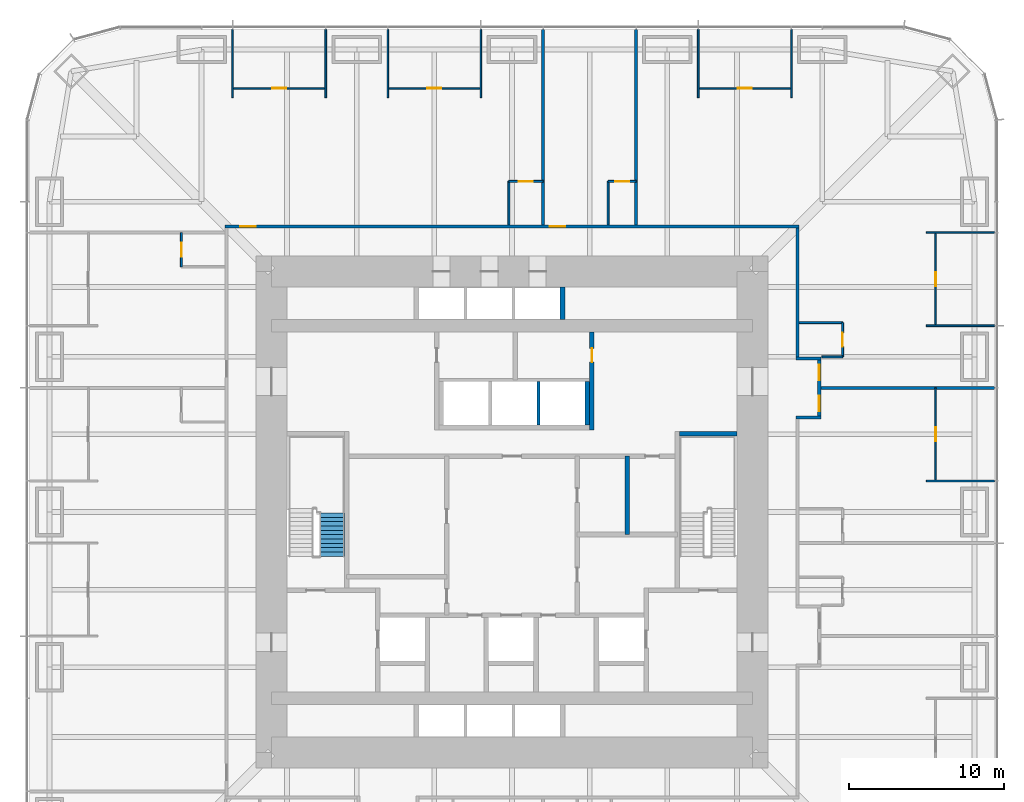
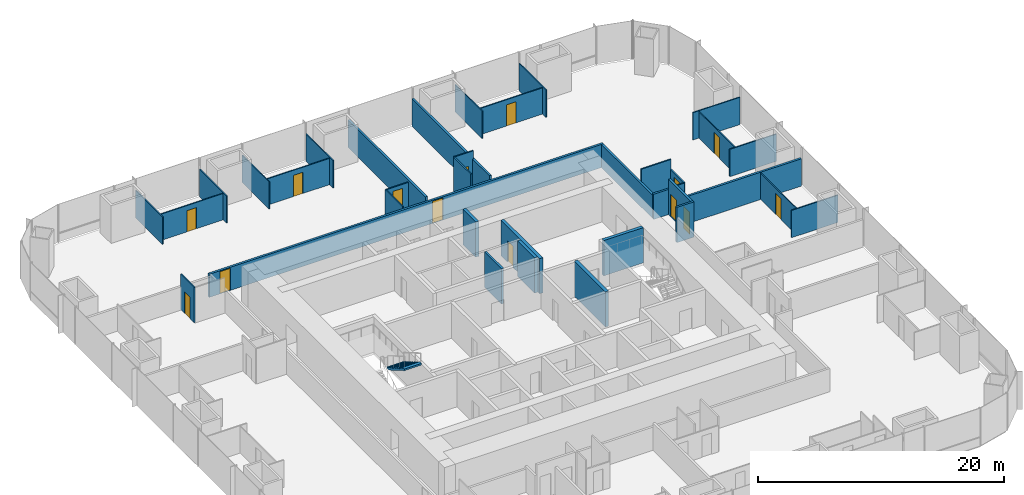
# One storey, part 15 of 17: 36 walls, 14 doors, 1 stair flight, 14 openings, 1 element without a shape of its own.
"""IFC4 building model written with IfcOpenShell, lengths in metres."""

import ifcopenshell
import ifcopenshell.guid

model = None  # the IFC model being written
_history = None  # IfcOwnerHistory: only IFC2X3 demands one
_inside = {}  # id of a spatial element -> (the spatial element, [elements in it])
_under = {}  # id of a project, library or spatial element -> (it, [spatial elements below it])
_declared = {}  # id of a project -> (the project, [libraries it declares])
_typed = {}  # id of a type object -> (the type object, [elements of that type])
_made_of = {}  # id of a material, layer set ... -> (it, [elements and type objects made of it])


def new_model(schema):
    """Start an empty IFC model of exactly this schema.

    Asked for "IFC4X3", IfcOpenShell would pick the latest addendum, in which some entities
    have other attributes; the version numbers below select the first issue.
    IFC2X3 requires an IfcOwnerHistory on every rooted entity: one is made here for all.
    """
    global model, _history
    if schema == "IFC4X3":
        model = ifcopenshell.file(schema_version=(4, 3, 0, 0))
    else:
        model = ifcopenshell.file(schema=schema)
    _inside.clear()
    _under.clear()
    _declared.clear()
    _typed.clear()
    _made_of.clear()
    _history = None
    if model.schema == "IFC2X3":
        org = make("IfcOrganization", Name="unknown")
        user = make(
            "IfcPersonAndOrganization",
            ThePerson=make("IfcPerson", FamilyName="unknown"),
            TheOrganization=org,
        )
        app = make(
            "IfcApplication",
            ApplicationDeveloper=org,
            Version="unknown",
            ApplicationFullName="unknown",
            ApplicationIdentifier="unknown",
        )
        _history = make(
            "IfcOwnerHistory",
            OwningUser=user,
            OwningApplication=app,
            ChangeAction="ADDED",
            CreationDate=0,
        )
    return model


def make(cls, **values):
    """One entity of the class cls with the attributes given. An attribute that is None is left unset."""
    return model.create_entity(
        cls, **{name: value for name, value in values.items() if value is not None}
    )


def rooted(cls, **values):
    """An entity with a GlobalId (a new one), such as an element, a storey or a relation."""
    return make(cls, GlobalId=ifcopenshell.guid.new(), OwnerHistory=_history, **values)


def si_unit(unit_type, name, prefix=None):
    """IfcSIUnit, for example si_unit("LENGTHUNIT", "METRE", prefix="MILLI")."""
    return make("IfcSIUnit", UnitType=unit_type, Prefix=prefix, Name=name)


def assignment(units):
    """IfcUnitAssignment: the units of a project."""
    return None if units is None else make("IfcUnitAssignment", Units=units)


def point(xyz):
    """IfcCartesianPoint."""
    return None if xyz is None else make("IfcCartesianPoint", Coordinates=xyz)


def direction(xyz):
    """IfcDirection."""
    return None if xyz is None else make("IfcDirection", DirectionRatios=xyz)


def frame(location, z_axis=None, x_axis=None):
    """IfcAxis2Placement3D, a coordinate frame: its origin and axes. An axis left out is left unset."""
    return make(
        "IfcAxis2Placement3D",
        Location=point(location),
        Axis=direction(z_axis),
        RefDirection=direction(x_axis),
    )


def frame_2d(location, x_axis=None):
    """IfcAxis2Placement2D, a coordinate frame in the plane: its origin and x axis."""
    return make(
        "IfcAxis2Placement2D", Location=point(location), RefDirection=direction(x_axis)
    )


def origin():
    """The frame at (0, 0, 0) with its axes left unset."""
    return frame((0.0, 0.0, 0.0))


def place(relative_to, where):
    """IfcLocalPlacement: puts the frame where relative to a parent placement (None: the world)."""
    return make(
        "IfcLocalPlacement", PlacementRelTo=relative_to, RelativePlacement=where
    )


def context(
    kind, dimensions, precision=None, world=None, true_north=None, identifier=None
):
    """IfcGeometricRepresentationContext, for example the 3D "Model" context."""
    return make(
        "IfcGeometricRepresentationContext",
        ContextIdentifier=identifier,
        ContextType=kind,
        CoordinateSpaceDimension=dimensions,
        Precision=precision,
        WorldCoordinateSystem=world,
        TrueNorth=true_north,
    )


def subcontext(parent, identifier, kind, view, scale=None):
    """IfcGeometricRepresentationSubContext, for example "Body" below "Model"."""
    return make(
        "IfcGeometricRepresentationSubContext",
        ContextIdentifier=identifier,
        ContextType=kind,
        ParentContext=parent,
        TargetScale=scale,
        TargetView=view,
    )


def project(units=None, contexts=None):
    """IfcProject with its units and contexts."""
    return rooted(
        "IfcProject",
        Name="project",
        RepresentationContexts=contexts,
        UnitsInContext=assignment(units),
    )


def spatial(cls, under=None, at=None, **own):
    """A site, building, storey or space (cls), placed at a placement, below another one or the project."""
    s = rooted(cls, ObjectPlacement=at, **own)
    if under is not None:
        _under.setdefault(under.id(), (under, []))[1].append(s)
    return s


def polyline(points):
    """IfcPolyline through the points."""
    return make("IfcPolyline", Points=[point(p) for p in points])


def profile(cls, at=None, kind="AREA", **sizes):
    """A parametric profile (cls). Its sizes go by their IFC names, for example OverallWidth=200.0."""
    return make(cls, ProfileType=kind, Position=at, **sizes)


def rectangle(**sizes):
    """IfcRectangleProfileDef."""
    return profile("IfcRectangleProfileDef", **sizes)


def outline(outer, holes=None, kind="AREA"):
    """IfcArbitraryClosedProfileDef: a profile drawn as a closed curve; with holes, ...WithVoids."""
    if holes is None:
        return make("IfcArbitraryClosedProfileDef", ProfileType=kind, OuterCurve=outer)
    return make(
        "IfcArbitraryProfileDefWithVoids",
        ProfileType=kind,
        OuterCurve=outer,
        InnerCurves=holes,
    )


def extrude(swept, where, along, depth):
    """IfcExtrudedAreaSolid: the profile swept, set in the frame where, extruded along a direction by depth."""
    return make(
        "IfcExtrudedAreaSolid",
        SweptArea=swept,
        Position=where,
        ExtrudedDirection=direction(along),
        Depth=depth,
    )


def shape(context_of_items, identifier, shape_type, items):
    """IfcShapeRepresentation: the items that make up one representation, for example the "Body"."""
    return make(
        "IfcShapeRepresentation",
        ContextOfItems=context_of_items,
        RepresentationIdentifier=identifier,
        RepresentationType=shape_type,
        Items=items,
    )


def material(Name=None, Category=None):
    """IfcMaterial."""
    return make("IfcMaterial", Name=Name, Category=Category)


def layer(
    of_material, thickness, ventilated=None, Name=None, Category=None, Priority=None
):
    """IfcMaterialLayer: one layer of a wall or slab, of a material (None: an air gap)."""
    return make(
        "IfcMaterialLayer",
        Material=of_material,
        LayerThickness=thickness,
        IsVentilated=ventilated,
        Name=Name,
        Category=Category,
        Priority=Priority,
    )


def layer_set(layers, Name=None):
    """IfcMaterialLayerSet."""
    return make("IfcMaterialLayerSet", MaterialLayers=layers, LayerSetName=Name)


def made_of(thing, what):
    """Note that an element or type object is made of a material, layer set ...; save() writes the relation."""
    if what is not None:
        _made_of.setdefault(what.id(), (what, []))[1].append(thing)
    return thing


def type_object(cls, material=None, **own):
    """A type object (cls), such as IfcWallType, which elements share."""
    return made_of(rooted(cls, **own), material)


def element(
    cls,
    number,
    at=None,
    inside=None,
    cuts=None,
    type_object=None,
    material=None,
    context=None,
    identifier="Body",
    shape_type=None,
    held_by="IfcProductDefinitionShape",
    body=None,
    shapes=None,
    **own,
):
    """One element of the class cls, such as IfcWall. Its Tag is "e" and its number.

    at: its placement. inside: the storey or other place that contains it. cuts: it is an
    opening in that element (IfcRelVoidsElement). A single representation is given by context,
    identifier, shape_type and body (its items); several are given by shapes. held_by: the class
    of the entity that holds the representations. save() writes the other relations.
    """
    e = rooted(cls, Tag="e%d" % number, ObjectPlacement=at, **own)
    if body is not None:
        shapes = [shape(context, identifier, shape_type, body)]
    if shapes is not None:
        e.Representation = make(held_by, Representations=shapes)
    if inside is not None:
        _inside.setdefault(inside.id(), (inside, []))[1].append(e)
    if cuts is not None:
        rooted(
            "IfcRelVoidsElement", RelatingBuildingElement=cuts, RelatedOpeningElement=e
        )
    if type_object is not None:
        _typed.setdefault(type_object.id(), (type_object, []))[1].append(e)
    return made_of(e, material)


def fill(opening, filler):
    """IfcRelFillsElement: the door or window that sits in an opening."""
    return rooted(
        "IfcRelFillsElement",
        RelatingOpeningElement=opening,
        RelatedBuildingElement=filler,
    )


def aggregate(whole, parts):
    """IfcRelAggregates: a whole, such as a stair, and the parts it consists of."""
    return rooted("IfcRelAggregates", RelatingObject=whole, RelatedObjects=parts)


def save(model, path):
    """Write the relations noted so far, then the file.

    IfcRelAggregates (storeys below a building ...), IfcRelContainedInSpatialStructure (elements
    in a storey), IfcRelDefinesByType, IfcRelAssociatesMaterial and IfcRelDeclares: one each for
    every whole, place, type object, material and project.
    """
    for whole, parts in _under.values():
        aggregate(whole, parts)
    for where, things in _inside.values():
        rooted(
            "IfcRelContainedInSpatialStructure",
            RelatedElements=things,
            RelatingStructure=where,
        )
    for kind, things in _typed.values():
        rooted("IfcRelDefinesByType", RelatedObjects=things, RelatingType=kind)
    for what, things in _made_of.values():
        rooted("IfcRelAssociatesMaterial", RelatedObjects=things, RelatingMaterial=what)
    for by, libraries in _declared.values():
        rooted("IfcRelDeclares", RelatingContext=by, RelatedDefinitions=libraries)
    model.write(path)


model = new_model("IFC4")

# Units and contexts
model_context = context("Model", 3, precision=1e-05, world=origin(), true_north=direction((0.0, 1.0)))
body_context = subcontext(model_context, "Body", "Model", "MODEL_VIEW")
ifc_project = project(units=[si_unit("LENGTHUNIT", "METRE"), si_unit("AREAUNIT", "SQUARE_METRE"), si_unit("VOLUMEUNIT", "CUBIC_METRE"), si_unit("PLANEANGLEUNIT", "RADIAN"), si_unit("MASSUNIT", "GRAM", prefix="KILO")], contexts=[model_context])

# Site, building, storey
site_placement = place(None, origin())
site = spatial("IfcSite", under=ifc_project, at=site_placement, CompositionType="ELEMENT")
building_placement = place(site_placement, origin())
building = spatial("IfcBuilding", under=site, at=building_placement, Name="Khuree Lantern Residences", CompositionType="ELEMENT")
storey_placement = place(building_placement, frame((0.0, 0.0, 77.25)))
storey = spatial("IfcBuildingStorey", under=building, at=storey_placement, Name="L19", CompositionType="ELEMENT", Elevation=77.25)

# Wall, opening, door
ifc_material_1 = material(Name="Moisture-resistant gypsum board on steel studs", Category="steel")
ifc_layer_1 = layer(ifc_material_1, 0.125)
ifc_layer_set_1 = layer_set([ifc_layer_1], Name="BATHROOM WALL BTW125")
wall_type_1 = type_object("IfcWallType", Name="BATHROOM WALL BTW125", PredefinedType="PARTITIONING", material=ifc_layer_set_1)
wall_1_placement = place(storey_placement, frame((21.300048828125, 10.0, 0.0), z_axis=(0.0, 0.0, 1.0), x_axis=(0.0, 1.0, 0.0)))
wall_1 = element("IfcWall", 1, at=wall_1_placement, inside=storey, type_object=wall_type_1, Name="L19 BATHROOM WALL 03", PredefinedType="PARTITIONING", context=body_context, shape_type="SweptSolid", body=[
    extrude(rectangle(XDim=2.199951171875, YDim=0.125, at=frame_2d((1.10009765625, 0.0))), origin(), (0.0, 0.0, 1.0), 2.491943359375),
])
opening_1_placement = place(wall_1_placement, frame((0.64990234375, 0.0, 0.0)))
opening_1 = element("IfcOpeningElement", 2, at=opening_1_placement, cuts=wall_1, Name="Opening 19-030", PredefinedType="OPENING", context=body_context, shape_type="SweptSolid", body=[
    extrude(rectangle(XDim=0.89990234375, YDim=2.10009765625, at=frame_2d((0.449951171875, 1.050048828125))), frame((0.0, 0.072509765625, 0.0), z_axis=(0.0, -1.0, 0.0), x_axis=(1.0, 0.0, 0.0)), (0.0, 0.0, 1.0), 0.14501953125),
])
ifc_material_2 = material(Name="Timber door leaf in hardwood frame", Category="wood")
door_type_1 = type_object("IfcDoorType", Name="BATHROOM DOOR 900X2100", OperationType="SINGLE_SWING_LEFT", PredefinedType="DOOR", material=ifc_material_2)
door_1_placement = place(opening_1_placement, origin())
door_1 = element("IfcDoor", 3, at=door_1_placement, inside=storey, type_object=door_type_1, Name="Bathroom door 19-030", OperationType="SINGLE_SWING_LEFT", OverallHeight=2.10009765625, OverallWidth=0.89990234375, PredefinedType="DOOR", context=body_context, shape_type="SweptSolid", body=[
    extrude(rectangle(XDim=0.89990234375, YDim=2.10009765625, at=frame_2d((0.449951171875, 1.050048828125))), frame((0.0, 0.02490234375, 0.0), z_axis=(0.0, -1.0, 0.0), x_axis=(1.0, 0.0, 0.0)), (0.0, 0.0, 1.0), 0.050048828125),
])
fill(opening_1, door_1)

# Walls
wall_2_placement = place(storey_placement, frame((19.969970703125, 10.0, 0.0), z_axis=(0.0, 0.0, 1.0), x_axis=(1.0, 0.0, 0.0)))
element("IfcWall", 4, at=wall_2_placement, inside=storey, type_object=wall_type_1, Name="L19 BATHROOM WALL 03", PredefinedType="PARTITIONING", context=body_context, shape_type="SweptSolid", body=[
    extrude(rectangle(XDim=1.330078125, YDim=0.125, at=frame_2d((0.6650390625, 0.0))), origin(), (0.0, 0.0, 1.0), 2.491943359375),
])
wall_3_placement = place(storey_placement, frame((18.5, 12.199951171875, 0.0), z_axis=(0.0, 0.0, 1.0), x_axis=(1.0, 0.0, 0.0)))
element("IfcWall", 5, at=wall_3_placement, inside=storey, type_object=wall_type_1, Name="L19 BATHROOM WALL 03", PredefinedType="PARTITIONING", context=body_context, shape_type="SweptSolid", body=[
    extrude(rectangle(XDim=2.800048828125, YDim=0.125, at=frame_2d((1.39990234375, 0.0))), origin(), (0.0, 0.0, 1.0), 3.5),
])

# Wall, opening, door
wall_4_placement = place(storey_placement, frame((8.0, 21.300048828125, 0.0), z_axis=(0.0, 0.0, 1.0), x_axis=(-1.0, 0.0, 0.0)))
wall_4 = element("IfcWall", 6, at=wall_4_placement, inside=storey, type_object=wall_type_1, Name="L19 BATHROOM WALL 04", PredefinedType="PARTITIONING", context=body_context, shape_type="SweptSolid", body=[
    extrude(rectangle(XDim=1.800048828125, YDim=0.125, at=frame_2d((0.89990234375, 0.0))), origin(), (0.0, 0.0, 1.0), 3.5),
])
opening_2_placement = place(wall_4_placement, frame((0.449951171875, 0.0, 0.0)))
opening_2 = element("IfcOpeningElement", 7, at=opening_2_placement, cuts=wall_4, Name="Opening 19-032", PredefinedType="OPENING", context=body_context, shape_type="SweptSolid", body=[
    extrude(rectangle(XDim=0.89990234375, YDim=2.10009765625, at=frame_2d((0.449951171875, 1.050048828125))), frame((0.0, 0.072509765625, 0.0), z_axis=(0.0, -1.0, 0.0), x_axis=(1.0, 0.0, 0.0)), (0.0, 0.0, 1.0), 0.14501953125),
])
door_2_placement = place(opening_2_placement, origin())
door_2 = element("IfcDoor", 8, at=door_2_placement, inside=storey, type_object=door_type_1, Name="Bathroom door 19-032", OperationType="SINGLE_SWING_LEFT", OverallHeight=2.10009765625, OverallWidth=0.89990234375, PredefinedType="DOOR", context=body_context, shape_type="SweptSolid", body=[
    extrude(rectangle(XDim=0.89990234375, YDim=2.10009765625, at=frame_2d((0.449951171875, 1.050048828125))), frame((0.0, 0.02490234375, 0.0), z_axis=(0.0, -1.0, 0.0), x_axis=(1.0, 0.0, 0.0)), (0.0, 0.0, 1.0), 0.050048828125),
])
fill(opening_2, door_2)

# Wall
wall_5_placement = place(storey_placement, frame((6.199951171875, 18.5, 0.0), z_axis=(0.0, 0.0, 1.0), x_axis=(0.0, 1.0, 0.0)))
element("IfcWall", 9, at=wall_5_placement, inside=storey, type_object=wall_type_1, Name="L19 BATHROOM WALL 04", PredefinedType="PARTITIONING", context=body_context, shape_type="SweptSolid", body=[
    extrude(rectangle(XDim=2.800048828125, YDim=0.125, at=frame_2d((1.39990234375, 0.0))), origin(), (0.0, 0.0, 1.0), 3.5),
])

# Wall, opening, door
wall_6_placement = place(storey_placement, frame((2.0, 21.300048828125, 0.0), z_axis=(0.0, 0.0, 1.0), x_axis=(-1.0, 0.0, 0.0)))
wall_6 = element("IfcWall", 10, at=wall_6_placement, inside=storey, type_object=wall_type_1, Name="L19 BATHROOM WALL 05", PredefinedType="PARTITIONING", context=body_context, shape_type="SweptSolid", body=[
    extrude(rectangle(XDim=2.199951171875, YDim=0.125, at=frame_2d((1.10009765625, 0.0))), origin(), (0.0, 0.0, 1.0), 2.491943359375),
])
opening_3_placement = place(wall_6_placement, frame((0.64990234375, 0.0, 0.0)))
opening_3 = element("IfcOpeningElement", 11, at=opening_3_placement, cuts=wall_6, Name="Opening 19-036", PredefinedType="OPENING", context=body_context, shape_type="SweptSolid", body=[
    extrude(rectangle(XDim=0.89990234375, YDim=2.10009765625, at=frame_2d((0.449951171875, 1.050048828125))), frame((0.0, 0.072509765625, 0.0), z_axis=(0.0, -1.0, 0.0), x_axis=(1.0, 0.0, 0.0)), (0.0, 0.0, 1.0), 0.14501953125),
])
door_3_placement = place(opening_3_placement, origin())
door_3 = element("IfcDoor", 12, at=door_3_placement, inside=storey, type_object=door_type_1, Name="Bathroom door 19-036", OperationType="SINGLE_SWING_LEFT", OverallHeight=2.10009765625, OverallWidth=0.89990234375, PredefinedType="DOOR", context=body_context, shape_type="SweptSolid", body=[
    extrude(rectangle(XDim=0.89990234375, YDim=2.10009765625, at=frame_2d((0.449951171875, 1.050048828125))), frame((0.0, 0.02490234375, 0.0), z_axis=(0.0, -1.0, 0.0), x_axis=(1.0, 0.0, 0.0)), (0.0, 0.0, 1.0), 0.050048828125),
])
fill(opening_3, door_3)

# Wall
wall_7_placement = place(storey_placement, frame((-0.199951171875, 18.5, 0.0), z_axis=(0.0, 0.0, 1.0), x_axis=(0.0, 1.0, 0.0)))
element("IfcWall", 13, at=wall_7_placement, inside=storey, type_object=wall_type_1, Name="L19 BATHROOM WALL 05", PredefinedType="PARTITIONING", context=body_context, shape_type="SweptSolid", body=[
    extrude(rectangle(XDim=2.800048828125, YDim=0.125, at=frame_2d((1.39990234375, 0.0))), origin(), (0.0, 0.0, 1.0), 2.491943359375),
])

# Wall, opening, door
wall_8_placement = place(storey_placement, frame((-21.300048828125, 18.0, 0.0), z_axis=(0.0, 0.0, 1.0), x_axis=(0.0, -1.0, 0.0)))
wall_8 = element("IfcWall", 14, at=wall_8_placement, inside=storey, type_object=wall_type_1, Name="L19 BATHROOM WALL 06", PredefinedType="PARTITIONING", context=body_context, shape_type="SweptSolid", body=[
    extrude(rectangle(XDim=2.199951171875, YDim=0.125, at=frame_2d((1.10009765625, 0.0))), origin(), (0.0, 0.0, 1.0), 3.5),
])
opening_4_placement = place(wall_8_placement, frame((0.64990234375, 0.0, 0.0)))
opening_4 = element("IfcOpeningElement", 15, at=opening_4_placement, cuts=wall_8, Name="Opening 19-039", PredefinedType="OPENING", context=body_context, shape_type="SweptSolid", body=[
    extrude(rectangle(XDim=0.89990234375, YDim=2.10009765625, at=frame_2d((0.449951171875, 1.050048828125))), frame((0.0, 0.072509765625, 0.0), z_axis=(0.0, -1.0, 0.0), x_axis=(1.0, 0.0, 0.0)), (0.0, 0.0, 1.0), 0.14501953125),
])
door_4_placement = place(opening_4_placement, origin())
door_4 = element("IfcDoor", 16, at=door_4_placement, inside=storey, type_object=door_type_1, Name="Bathroom door 19-039", OperationType="SINGLE_SWING_LEFT", OverallHeight=2.10009765625, OverallWidth=0.89990234375, PredefinedType="DOOR", context=body_context, shape_type="SweptSolid", body=[
    extrude(rectangle(XDim=0.89990234375, YDim=2.10009765625, at=frame_2d((0.449951171875, 1.050048828125))), frame((0.0, 0.02490234375, 0.0), z_axis=(0.0, -1.0, 0.0), x_axis=(1.0, 0.0, 0.0)), (0.0, 0.0, 1.0), 0.050048828125),
])
fill(opening_4, door_4)

# Walls
ifc_material_3 = material(Name="Dense concrete blockwork", Category="masonry")
ifc_layer_2 = layer(ifc_material_3, 0.300048828125)
ifc_layer_set_2 = layer_set([ifc_layer_2], Name="CORE PARTITION WALL CPW300 EI 120")
wall_type_2 = type_object("IfcWallType", Name="CORE PARTITION WALL CPW300 EI 120", PredefinedType="PARTITIONING", material=ifc_layer_set_2)
wall_9_placement = place(storey_placement, frame((4.85009765625, 5.60009765625, 0.0), z_axis=(0.0, 0.0, 1.0), x_axis=(0.0, 1.0, 0.0)))
element("IfcWall", 17, at=wall_9_placement, inside=storey, type_object=wall_type_2, Name="L19 CORE WALL PHE", PredefinedType="PARTITIONING", context=body_context, shape_type="SweptSolid", body=[
    extrude(rectangle(XDim=2.7998046875, YDim=0.300048828125, at=frame_2d((1.39990234375, 0.0))), origin(), (0.0, 0.0, 1.0), 3.5),
])
wall_10_placement = place(storey_placement, frame((3.25, 12.39990234375, 0.0), z_axis=(0.0, 0.0, 1.0), x_axis=(0.0, 1.0, 0.0)))
element("IfcWall", 18, at=wall_10_placement, inside=storey, type_object=wall_type_2, Name="L19 CORE WALL PLE", PredefinedType="PARTITIONING", context=body_context, shape_type="SweptSolid", body=[
    extrude(rectangle(XDim=2.10009765625, YDim=0.300048828125, at=frame_2d((1.050048828125, 0.0))), origin(), (0.0, 0.0, 1.0), 3.5),
])
wall_11_placement = place(storey_placement, frame((7.425048828125, -1.449951171875, 0.0), z_axis=(0.0, 0.0, 1.0), x_axis=(0.0, 1.0, 0.0)))
element("IfcWall", 19, at=wall_11_placement, inside=storey, type_object=wall_type_2, Name="L19 CORE WALL EV", PredefinedType="PARTITIONING", context=body_context, shape_type="SweptSolid", body=[
    extrude(rectangle(XDim=5.050048828125, YDim=0.300048828125, at=frame_2d((2.52490234375, 0.0))), origin(), (0.0, 0.0, 1.0), 3.5),
])

# Wall, opening, door
wall_12_placement = place(storey_placement, frame((5.14990234375, 5.300048828125, 0.0), z_axis=(0.0, 0.0, 1.0), x_axis=(0.0, 1.0, 0.0)))
wall_12 = element("IfcWall", 20, at=wall_12_placement, inside=storey, type_object=wall_type_2, Name="L19 CORE WALL NE", PredefinedType="PARTITIONING", context=body_context, shape_type="SweptSolid", body=[
    extrude(rectangle(XDim=6.300048828125, YDim=0.300048828125, at=frame_2d((3.14990234375, 0.0))), origin(), (0.0, 0.0, 1.0), 3.5),
])
opening_5_placement = place(wall_12_placement, frame((4.35009765625, 0.0, 0.0)))
opening_5 = element("IfcOpeningElement", 21, at=opening_5_placement, cuts=wall_12, Name="Opening 19-022", PredefinedType="OPENING", context=body_context, shape_type="SweptSolid", body=[
    extrude(rectangle(XDim=0.89990234375, YDim=2.10009765625, at=frame_2d((0.449951171875, 1.050048828125))), frame((0.0, 0.16015625, 0.0), z_axis=(0.0, -1.0, 0.0), x_axis=(1.0, 0.0, 0.0)), (0.0, 0.0, 1.0), 0.320068359375),
])
door_type_2 = type_object("IfcDoorType", Name="DOOR 900X2100", OperationType="SINGLE_SWING_LEFT", PredefinedType="DOOR", material=ifc_material_2)
door_5_placement = place(opening_5_placement, origin())
door_5 = element("IfcDoor", 22, at=door_5_placement, inside=storey, type_object=door_type_2, Name="Building management room door 19-022", OperationType="SINGLE_SWING_LEFT", OverallHeight=2.10009765625, OverallWidth=0.89990234375, PredefinedType="DOOR", context=body_context, shape_type="SweptSolid", body=[
    extrude(rectangle(XDim=0.89990234375, YDim=2.10009765625, at=frame_2d((0.449951171875, 1.050048828125))), frame((0.0, 0.02490234375, 0.0), z_axis=(0.0, -1.0, 0.0), x_axis=(1.0, 0.0, 0.0)), (0.0, 0.0, 1.0), 0.050048828125),
])
fill(opening_5, door_5)

# Walls
ifc_material_4 = material(Name="Gypsum board on steel studs", Category="steel")
ifc_layer_3 = layer(ifc_material_4, 0.199951171875)
ifc_layer_set_3 = layer_set([ifc_layer_3], Name="CORRIDOR WALL CRW200 EI 60")
wall_type_3 = type_object("IfcWallType", Name="CORRIDOR WALL CRW200 EI 60", PredefinedType="PARTITIONING", material=ifc_layer_set_3)
wall_13_placement = place(storey_placement, frame((18.300048828125, 6.10009765625, 0.0), z_axis=(0.0, 0.0, 1.0), x_axis=(1.0, 0.0, 0.0)))
element("IfcWall", 23, at=wall_13_placement, inside=storey, type_object=wall_type_3, Name="L19 CORRIDOR ALCOVE WALL EAST", PredefinedType="PARTITIONING", context=body_context, shape_type="SweptSolid", body=[
    extrude(rectangle(XDim=1.599853515625, YDim=0.199951171875, at=frame_2d((0.7998046875, 0.0))), origin(), (0.0, 0.0, 1.0), 3.5),
])
wall_14_placement = place(storey_placement, frame((18.300048828125, 9.89990234375, 0.0), z_axis=(0.0, 0.0, 1.0), x_axis=(1.0, 0.0, 0.0)))
element("IfcWall", 24, at=wall_14_placement, inside=storey, type_object=wall_type_3, Name="L19 CORRIDOR ALCOVE WALL EAST", PredefinedType="PARTITIONING", context=body_context, shape_type="SweptSolid", body=[
    extrude(rectangle(XDim=1.599853515625, YDim=0.199951171875, at=frame_2d((0.7998046875, 0.0))), origin(), (0.0, 0.0, 1.0), 2.491943359375),
])

# Wall, openings, doors
wall_15_placement = place(storey_placement, frame((19.800048828125, 6.199951171875, 0.0), z_axis=(0.0, 0.0, 1.0), x_axis=(0.0, 1.0, 0.0)))
wall_15 = element("IfcWall", 25, at=wall_15_placement, inside=storey, type_object=wall_type_3, Name="L19 CORRIDOR ALCOVE WALL EAST", PredefinedType="PARTITIONING", context=body_context, shape_type="SweptSolid", body=[
    extrude(rectangle(XDim=3.60009765625, YDim=0.199951171875, at=frame_2d((1.800048828125, 0.0))), origin(), (0.0, 0.0, 1.0), 3.5),
])
opening_6_placement = place(wall_15_placement, frame((0.300048828125, 0.0, 0.0)))
opening_6 = element("IfcOpeningElement", 26, at=opening_6_placement, cuts=wall_15, Name="Opening 19-027", PredefinedType="OPENING", context=body_context, shape_type="SweptSolid", body=[
    extrude(rectangle(XDim=1.0, YDim=2.199951171875, at=frame_2d((0.5, 1.10009765625))), frame((0.0, 0.10986328125, 0.0), z_axis=(0.0, -1.0, 0.0), x_axis=(1.0, 0.0, 0.0)), (0.0, 0.0, 1.0), 0.219970703125),
])
opening_7_placement = place(wall_15_placement, frame((2.300048828125, 0.0, 0.0)))
opening_7 = element("IfcOpeningElement", 27, at=opening_7_placement, cuts=wall_15, Name="Opening 19-031", PredefinedType="OPENING", context=body_context, shape_type="SweptSolid", body=[
    extrude(rectangle(XDim=1.0, YDim=2.199951171875, at=frame_2d((0.5, 1.10009765625))), frame((0.0, 0.10986328125, 0.0), z_axis=(0.0, -1.0, 0.0), x_axis=(1.0, 0.0, 0.0)), (0.0, 0.0, 1.0), 0.219970703125),
])
door_type_3 = type_object("IfcDoorType", Name="APARTMENT ENTRANCE DOOR 1000X2200 EI 30S", OperationType="SINGLE_SWING_LEFT", PredefinedType="DOOR", material=ifc_material_2)
door_6_placement = place(opening_6_placement, origin())
door_6 = element("IfcDoor", 28, at=door_6_placement, inside=storey, type_object=door_type_3, Name="Apartment 02 entrance door 19-027", OperationType="SINGLE_SWING_LEFT", OverallHeight=2.199951171875, OverallWidth=1.0, PredefinedType="DOOR", context=body_context, shape_type="SweptSolid", body=[
    extrude(rectangle(XDim=1.0, YDim=2.199951171875, at=frame_2d((0.5, 1.10009765625))), frame((0.0, 0.02490234375, 0.0), z_axis=(0.0, -1.0, 0.0), x_axis=(1.0, 0.0, 0.0)), (0.0, 0.0, 1.0), 0.050048828125),
])
fill(opening_6, door_6)
door_type_4 = type_object("IfcDoorType", Name="APARTMENT ENTRANCE DOOR 1000X2200 EI 30S RIGHT HAND", OperationType="SINGLE_SWING_RIGHT", PredefinedType="DOOR", material=ifc_material_2)
door_7_placement = place(opening_7_placement, origin())
door_7 = element("IfcDoor", 29, at=door_7_placement, inside=storey, type_object=door_type_4, Name="Apartment 03 entrance door 19-031", OperationType="SINGLE_SWING_RIGHT", OverallHeight=2.199951171875, OverallWidth=1.0, PredefinedType="DOOR", context=body_context, shape_type="SweptSolid", body=[
    extrude(rectangle(XDim=1.0, YDim=2.199951171875, at=frame_2d((0.5, 1.10009765625))), frame((0.0, 0.02490234375, 0.0), z_axis=(0.0, -1.0, 0.0), x_axis=(1.0, 0.0, 0.0)), (0.0, 0.0, 1.0), 0.050048828125),
])
fill(opening_7, door_7)

# Wall
wall_16_placement = place(storey_placement, frame((18.39990234375, 10.0, 0.0), z_axis=(0.0, 0.0, 1.0), x_axis=(0.0, 1.0, 0.0)))
element("IfcWall", 30, at=wall_16_placement, inside=storey, type_object=wall_type_3, Name="L19 CORRIDOR WALL EAST 3", PredefinedType="PARTITIONING", context=body_context, shape_type="SweptSolid", body=[
    extrude(rectangle(XDim=8.300048828125, YDim=0.199951171875, at=frame_2d((4.14990234375, 0.0))), origin(), (0.0, 0.0, 1.0), 2.300048828125),
])

# Wall, openings, doors
wall_17_placement = place(storey_placement, frame((-18.5, 18.39990234375, 0.0), z_axis=(0.0, 0.0, 1.0), x_axis=(1.0, 0.0, 0.0)))
wall_17 = element("IfcWall", 31, at=wall_17_placement, inside=storey, type_object=wall_type_3, Name="L19 CORRIDOR WALL NORTH 1", PredefinedType="PARTITIONING", context=body_context, shape_type="SweptSolid", body=[
    extrude(rectangle(XDim=37.0, YDim=0.199951171875, at=frame_2d((18.5, 0.0))), origin(), (0.0, 0.0, 1.0), 2.300048828125),
])
opening_8_placement = place(wall_17_placement, frame((20.929931640625, 0.0, 0.0)))
opening_8 = element("IfcOpeningElement", 32, at=opening_8_placement, cuts=wall_17, Name="Opening 19-033", PredefinedType="OPENING", context=body_context, shape_type="SweptSolid", body=[
    extrude(rectangle(XDim=1.0, YDim=2.199951171875, at=frame_2d((0.5, 1.10009765625))), frame((0.0, 0.10986328125, 0.0), z_axis=(0.0, -1.0, 0.0), x_axis=(1.0, 0.0, 0.0)), (0.0, 0.0, 1.0), 0.219970703125),
])
opening_9_placement = place(wall_17_placement, frame((0.97998046875, 0.0, 0.0)))
opening_9 = element("IfcOpeningElement", 33, at=opening_9_placement, cuts=wall_17, Name="Opening 19-037", PredefinedType="OPENING", context=body_context, shape_type="SweptSolid", body=[
    extrude(rectangle(XDim=1.0, YDim=2.199951171875, at=frame_2d((0.5, 1.10009765625))), frame((0.0, 0.10986328125, 0.0), z_axis=(0.0, -1.0, 0.0), x_axis=(1.0, 0.0, 0.0)), (0.0, 0.0, 1.0), 0.219970703125),
])
door_8_placement = place(opening_8_placement, origin())
door_8 = element("IfcDoor", 34, at=door_8_placement, inside=storey, type_object=door_type_3, Name="Apartment 04 entrance door 19-033", OperationType="SINGLE_SWING_LEFT", OverallHeight=2.199951171875, OverallWidth=1.0, PredefinedType="DOOR", context=body_context, shape_type="SweptSolid", body=[
    extrude(rectangle(XDim=1.0, YDim=2.199951171875, at=frame_2d((0.5, 1.10009765625))), frame((0.0, 0.02490234375, 0.0), z_axis=(0.0, -1.0, 0.0), x_axis=(1.0, 0.0, 0.0)), (0.0, 0.0, 1.0), 0.050048828125),
])
fill(opening_8, door_8)
door_9_placement = place(opening_9_placement, origin())
door_9 = element("IfcDoor", 35, at=door_9_placement, inside=storey, type_object=door_type_3, Name="Apartment 05 entrance door 19-037", OperationType="SINGLE_SWING_LEFT", OverallHeight=2.199951171875, OverallWidth=1.0, PredefinedType="DOOR", context=body_context, shape_type="SweptSolid", body=[
    extrude(rectangle(XDim=1.0, YDim=2.199951171875, at=frame_2d((0.5, 1.10009765625))), frame((0.0, 0.02490234375, 0.0), z_axis=(0.0, -1.0, 0.0), x_axis=(1.0, 0.0, 0.0)), (0.0, 0.0, 1.0), 0.050048828125),
])
fill(opening_9, door_9)

# Walls
ifc_layer_4 = layer(ifc_material_4, 0.199951171875)
ifc_layer_set_4 = layer_set([ifc_layer_4], Name="DEMISING WALL DMW200 EI 90")
wall_type_4 = type_object("IfcWallType", Name="DEMISING WALL DMW200 EI 90", PredefinedType="PARTITIONING", material=ifc_layer_set_4)
wall_18_placement = place(storey_placement, frame((19.89990234375, 8.0, 0.0), z_axis=(0.0, 0.0, 1.0), x_axis=(1.0, 0.0, 0.0)))
element("IfcWall", 36, at=wall_18_placement, inside=storey, type_object=wall_type_4, Name="L19 DEMISING WALL 03", PredefinedType="PARTITIONING", context=body_context, shape_type="SweptSolid", body=[
    extrude(rectangle(XDim=11.2001953125, YDim=0.199951171875, at=frame_2d((5.60009765625, 0.0))), origin(), (0.0, 0.0, 1.0), 2.7099609375),
])
for number, where, z_axis, x_axis, name in (
    (37, (8.0, 18.5, 0.0), (0.0, 0.0, 1.0), (0.0, 1.0, 0.0), "L19 DEMISING WALL 04"),
    (38, (2.0, 18.5, 0.0), (0.0, 0.0, 1.0), (0.0, 1.0, 0.0), "L19 DEMISING WALL 05"),
):
    element("IfcWall", number, at=place(storey_placement, frame(where, z_axis=z_axis, x_axis=x_axis)), inside=storey, type_object=wall_type_4, Name=name, PredefinedType="PARTITIONING", context=body_context, shape_type="SweptSolid", body=[
        extrude(rectangle(XDim=12.60009765625, YDim=0.199951171875, at=frame_2d((6.300048828125, 0.0))), origin(), (0.0, 0.0, 1.0), 2.7099609375),
    ])
ifc_layer_5 = layer(ifc_material_4, 0.10009765625)
ifc_layer_set_5 = layer_set([ifc_layer_5], Name="PARTITION PT100")
wall_type_5 = type_object("IfcWallType", Name="PARTITION PT100", PredefinedType="PARTITIONING", material=ifc_layer_set_5)
for number, where, z_axis, x_axis, name in (
    (39, (26.699951171875, 2.0, 0.0), (0.0, 0.0, 1.0), (1.0, 0.0, 0.0), "L19 PARTITION 02"),
    (40, (26.699951171875, 12.0, 0.0), (0.0, 0.0, 1.0), (1.0, 0.0, 0.0), "L19 PARTITION 03"),
    (41, (26.699951171875, 18.0, 0.0), (0.0, 0.0, 1.0), (1.0, 0.0, 0.0), "L19 PARTITION 03"),
    (42, (18.0, 26.699951171875, 0.0), (0.0, 0.0, 1.0), (0.0, 1.0, 0.0), "L19 PARTITION 03"),
    (43, (12.0, 26.699951171875, 0.0), (0.0, 0.0, 1.0), (0.0, 1.0, 0.0), "L19 PARTITION 03"),
    (44, (-2.0, 26.699951171875, 0.0), (0.0, 0.0, 1.0), (0.0, 1.0, 0.0), "L19 PARTITION 05"),
    (45, (-8.0, 26.699951171875, 0.0), (0.0, 0.0, 1.0), (0.0, 1.0, 0.0), "L19 PARTITION 05"),
    (46, (-12.0, 26.699951171875, 0.0), (0.0, 0.0, 1.0), (0.0, 1.0, 0.0), "L19 PARTITION 05"),
    (47, (-18.0, 26.699951171875, 0.0), (0.0, 0.0, 1.0), (0.0, 1.0, 0.0), "L19 PARTITION 05"),
):
    element("IfcWall", number, at=place(storey_placement, frame(where, z_axis=z_axis, x_axis=x_axis)), inside=storey, type_object=wall_type_5, Name=name, PredefinedType="PARTITIONING", context=body_context, shape_type="SweptSolid", body=[
        extrude(rectangle(XDim=4.400146484375, YDim=0.10009765625, at=frame_2d((2.2001953125, 0.0))), origin(), (0.0, 0.0, 1.0), 2.7099609375),
    ])

# Wall, opening, door
wall_19_placement = place(storey_placement, frame((27.300048828125, 2.0, 0.0), z_axis=(0.0, 0.0, 1.0), x_axis=(0.0, 1.0, 0.0)))
wall_19 = element("IfcWall", 48, at=wall_19_placement, inside=storey, type_object=wall_type_5, Name="L19 PARTITION 02", PredefinedType="PARTITIONING", context=body_context, shape_type="SweptSolid", body=[
    extrude(rectangle(XDim=6.0, YDim=0.10009765625, at=frame_2d((3.0, 0.0))), origin(), (0.0, 0.0, 1.0), 2.610107421875),
])
opening_10_placement = place(wall_19_placement, frame((2.550048828125, 0.0, 0.0)))
opening_10 = element("IfcOpeningElement", 49, at=opening_10_placement, cuts=wall_19, Name="Opening 19-025", PredefinedType="OPENING", context=body_context, shape_type="SweptSolid", body=[
    extrude(rectangle(XDim=0.89990234375, YDim=2.10009765625, at=frame_2d((0.449951171875, 1.050048828125))), frame((0.0, 0.06005859375, 0.0), z_axis=(0.0, -1.0, 0.0), x_axis=(1.0, 0.0, 0.0)), (0.0, 0.0, 1.0), 0.1201171875),
])
door_type_5 = type_object("IfcDoorType", Name="BEDROOM DOOR 900X2100", OperationType="SINGLE_SWING_LEFT", PredefinedType="DOOR", material=ifc_material_2)
door_10_placement = place(opening_10_placement, origin())
door_10 = element("IfcDoor", 50, at=door_10_placement, inside=storey, type_object=door_type_5, Name="Bedroom door 19-025", OperationType="SINGLE_SWING_LEFT", OverallHeight=2.10009765625, OverallWidth=0.89990234375, PredefinedType="DOOR", context=body_context, shape_type="SweptSolid", body=[
    extrude(rectangle(XDim=0.89990234375, YDim=2.10009765625, at=frame_2d((0.449951171875, 1.050048828125))), frame((0.0, 0.02490234375, 0.0), z_axis=(0.0, -1.0, 0.0), x_axis=(1.0, 0.0, 0.0)), (0.0, 0.0, 1.0), 0.050048828125),
])
fill(opening_10, door_10)

wall_20_placement = place(storey_placement, frame((27.300048828125, 12.0, 0.0), z_axis=(0.0, 0.0, 1.0), x_axis=(0.0, 1.0, 0.0)))
wall_20 = element("IfcWall", 51, at=wall_20_placement, inside=storey, type_object=wall_type_5, Name="L19 PARTITION 03", PredefinedType="PARTITIONING", context=body_context, shape_type="SweptSolid", body=[
    extrude(rectangle(XDim=6.0, YDim=0.10009765625, at=frame_2d((3.0, 0.0))), origin(), (0.0, 0.0, 1.0), 2.610107421875),
])
opening_11_placement = place(wall_20_placement, frame((2.550048828125, 0.0, 0.0)))
opening_11 = element("IfcOpeningElement", 52, at=opening_11_placement, cuts=wall_20, Name="Opening 19-028", PredefinedType="OPENING", context=body_context, shape_type="SweptSolid", body=[
    extrude(rectangle(XDim=0.89990234375, YDim=2.10009765625, at=frame_2d((0.449951171875, 1.050048828125))), frame((0.0, 0.06005859375, 0.0), z_axis=(0.0, -1.0, 0.0), x_axis=(1.0, 0.0, 0.0)), (0.0, 0.0, 1.0), 0.1201171875),
])
door_11_placement = place(opening_11_placement, origin())
door_11 = element("IfcDoor", 53, at=door_11_placement, inside=storey, type_object=door_type_5, Name="Bedroom door 19-028", OperationType="SINGLE_SWING_LEFT", OverallHeight=2.10009765625, OverallWidth=0.89990234375, PredefinedType="DOOR", context=body_context, shape_type="SweptSolid", body=[
    extrude(rectangle(XDim=0.89990234375, YDim=2.10009765625, at=frame_2d((0.449951171875, 1.050048828125))), frame((0.0, 0.02490234375, 0.0), z_axis=(0.0, -1.0, 0.0), x_axis=(1.0, 0.0, 0.0)), (0.0, 0.0, 1.0), 0.050048828125),
])
fill(opening_11, door_11)

wall_21_placement = place(storey_placement, frame((18.0, 27.300048828125, 0.0), z_axis=(0.0, 0.0, 1.0), x_axis=(-1.0, 0.0, 0.0)))
wall_21 = element("IfcWall", 54, at=wall_21_placement, inside=storey, type_object=wall_type_5, Name="L19 PARTITION 03", PredefinedType="PARTITIONING", context=body_context, shape_type="SweptSolid", body=[
    extrude(rectangle(XDim=6.0, YDim=0.10009765625, at=frame_2d((3.0, 0.0))), origin(), (0.0, 0.0, 1.0), 2.610107421875),
])
opening_12_placement = place(wall_21_placement, frame((2.550048828125, 0.0, 0.0)))
opening_12 = element("IfcOpeningElement", 55, at=opening_12_placement, cuts=wall_21, Name="Opening 19-029", PredefinedType="OPENING", context=body_context, shape_type="SweptSolid", body=[
    extrude(rectangle(XDim=0.89990234375, YDim=2.10009765625, at=frame_2d((0.449951171875, 1.050048828125))), frame((0.0, 0.06005859375, 0.0), z_axis=(0.0, -1.0, 0.0), x_axis=(1.0, 0.0, 0.0)), (0.0, 0.0, 1.0), 0.1201171875),
])
door_12_placement = place(opening_12_placement, origin())
door_12 = element("IfcDoor", 56, at=door_12_placement, inside=storey, type_object=door_type_5, Name="Bedroom door 19-029", OperationType="SINGLE_SWING_LEFT", OverallHeight=2.10009765625, OverallWidth=0.89990234375, PredefinedType="DOOR", context=body_context, shape_type="SweptSolid", body=[
    extrude(rectangle(XDim=0.89990234375, YDim=2.10009765625, at=frame_2d((0.449951171875, 1.050048828125))), frame((0.0, 0.02490234375, 0.0), z_axis=(0.0, -1.0, 0.0), x_axis=(1.0, 0.0, 0.0)), (0.0, 0.0, 1.0), 0.050048828125),
])
fill(opening_12, door_12)

wall_22_placement = place(storey_placement, frame((-2.0, 27.300048828125, 0.0), z_axis=(0.0, 0.0, 1.0), x_axis=(-1.0, 0.0, 0.0)))
wall_22 = element("IfcWall", 57, at=wall_22_placement, inside=storey, type_object=wall_type_5, Name="L19 PARTITION 05", PredefinedType="PARTITIONING", context=body_context, shape_type="SweptSolid", body=[
    extrude(rectangle(XDim=6.0, YDim=0.10009765625, at=frame_2d((3.0, 0.0))), origin(), (0.0, 0.0, 1.0), 2.610107421875),
])
opening_13_placement = place(wall_22_placement, frame((2.550048828125, 0.0, 0.0)))
opening_13 = element("IfcOpeningElement", 58, at=opening_13_placement, cuts=wall_22, Name="Opening 19-034", PredefinedType="OPENING", context=body_context, shape_type="SweptSolid", body=[
    extrude(rectangle(XDim=0.89990234375, YDim=2.10009765625, at=frame_2d((0.449951171875, 1.050048828125))), frame((0.0, 0.06005859375, 0.0), z_axis=(0.0, -1.0, 0.0), x_axis=(1.0, 0.0, 0.0)), (0.0, 0.0, 1.0), 0.1201171875),
])
door_13_placement = place(opening_13_placement, origin())
door_13 = element("IfcDoor", 59, at=door_13_placement, inside=storey, type_object=door_type_5, Name="Bedroom door 19-034", OperationType="SINGLE_SWING_LEFT", OverallHeight=2.10009765625, OverallWidth=0.89990234375, PredefinedType="DOOR", context=body_context, shape_type="SweptSolid", body=[
    extrude(rectangle(XDim=0.89990234375, YDim=2.10009765625, at=frame_2d((0.449951171875, 1.050048828125))), frame((0.0, 0.02490234375, 0.0), z_axis=(0.0, -1.0, 0.0), x_axis=(1.0, 0.0, 0.0)), (0.0, 0.0, 1.0), 0.050048828125),
])
fill(opening_13, door_13)

wall_23_placement = place(storey_placement, frame((-12.0, 27.300048828125, 0.0), z_axis=(0.0, 0.0, 1.0), x_axis=(-1.0, 0.0, 0.0)))
wall_23 = element("IfcWall", 60, at=wall_23_placement, inside=storey, type_object=wall_type_5, Name="L19 PARTITION 05", PredefinedType="PARTITIONING", context=body_context, shape_type="SweptSolid", body=[
    extrude(rectangle(XDim=6.0, YDim=0.10009765625, at=frame_2d((3.0, 0.0))), origin(), (0.0, 0.0, 1.0), 2.610107421875),
])
opening_14_placement = place(wall_23_placement, frame((2.550048828125, 0.0, 0.0)))
opening_14 = element("IfcOpeningElement", 61, at=opening_14_placement, cuts=wall_23, Name="Opening 19-035", PredefinedType="OPENING", context=body_context, shape_type="SweptSolid", body=[
    extrude(rectangle(XDim=0.89990234375, YDim=2.10009765625, at=frame_2d((0.449951171875, 1.050048828125))), frame((0.0, 0.06005859375, 0.0), z_axis=(0.0, -1.0, 0.0), x_axis=(1.0, 0.0, 0.0)), (0.0, 0.0, 1.0), 0.1201171875),
])
door_14_placement = place(opening_14_placement, origin())
door_14 = element("IfcDoor", 62, at=door_14_placement, inside=storey, type_object=door_type_5, Name="Bedroom door 19-035", OperationType="SINGLE_SWING_LEFT", OverallHeight=2.10009765625, OverallWidth=0.89990234375, PredefinedType="DOOR", context=body_context, shape_type="SweptSolid", body=[
    extrude(rectangle(XDim=0.89990234375, YDim=2.10009765625, at=frame_2d((0.449951171875, 1.050048828125))), frame((0.0, 0.02490234375, 0.0), z_axis=(0.0, -1.0, 0.0), x_axis=(1.0, 0.0, 0.0)), (0.0, 0.0, 1.0), 0.050048828125),
])
fill(opening_14, door_14)

# Walls
ifc_layer_6 = layer(ifc_material_3, 0.199951171875)
ifc_layer_set_6 = layer_set([ifc_layer_6], Name="SHAFT WALL SHW200 EI 120")
wall_type_6 = type_object("IfcWallType", Name="SHAFT WALL SHW200 EI 120", PredefinedType="PARTITIONING", material=ifc_layer_set_6)
wall_24_placement = place(storey_placement, frame((1.699951171875, 5.60009765625, 0.0), z_axis=(0.0, 0.0, 1.0), x_axis=(0.0, 1.0, 0.0)))
element("IfcWall", 63, at=wall_24_placement, inside=storey, type_object=wall_type_6, Name="L19 CORE WALL PHD2", PredefinedType="PARTITIONING", context=body_context, shape_type="SweptSolid", body=[
    extrude(rectangle(XDim=2.7998046875, YDim=0.199951171875, at=frame_2d((1.39990234375, 0.0))), origin(), (0.0, 0.0, 1.0), 3.5),
])
ifc_material_5 = material(Name="Concrete C50/60", Category="concrete")
ifc_layer_7 = layer(ifc_material_5, 0.300048828125)
ifc_layer_set_7 = layer_set([ifc_layer_7], Name="STAIR WALL SRW300 C50/60 REI 240")
wall_type_7 = type_object("IfcWallType", Name="STAIR WALL SRW300 C50/60 REI 240", PredefinedType="SOLIDWALL", material=ifc_layer_set_7)
wall_25_placement = place(storey_placement, frame((14.5, 5.050048828125, 0.0), z_axis=(0.0, 0.0, 1.0), x_axis=(-1.0, 0.0, 0.0)))
element("IfcWall", 64, at=wall_25_placement, inside=storey, type_object=wall_type_7, Name="L19 STAIR WALL ST2N", PredefinedType="SOLIDWALL", context=body_context, shape_type="SweptSolid", body=[
    extrude(rectangle(XDim=3.699951171875, YDim=0.300048828125, at=frame_2d((1.85009765625, 0.0))), origin(), (0.0, 0.0, 1.0), 3.5),
])

# Stair, stair flight
ifc_material_6 = material(Name="Concrete C40/50", Category="concrete")
stair_type = type_object("IfcStairType", Name="STAIR ST1 HALF TURN 3600", PredefinedType="HALF_TURN_STAIR", material=ifc_material_6)
stair_placement = place(storey_placement, origin())
stair = element("IfcStair", 65, at=stair_placement, inside=storey, type_object=stair_type, Name="Stair ST1", PredefinedType="HALF_TURN_STAIR")
stair_flight_type = type_object("IfcStairFlightType", Name="STAIR FLIGHT SF1 1600", PredefinedType="STRAIGHT", material=ifc_material_6)
stair_flight_placement = place(storey_placement, frame((-11.60009765625, -0.06005859375, 1.95654296875), z_axis=(0.0, 0.0, 1.0), x_axis=(0.0, -1.0, 0.0)))
stair_flight = element("IfcStairFlight", 66, at=stair_flight_placement, type_object=stair_flight_type, Name="ST1 flight 2", NumberOfRisers=11, NumberOfTreads=10, PredefinedType="STRAIGHT", RiserHeight=0.163043478, TreadLength=0.28, context=body_context, shape_type="SweptSolid", body=[
    extrude(outline(polyline([(0.0, 0.0), (0.0, 0.1630859375), (0.280029296875, 0.1630859375), (0.280029296875, 0.326171875), (0.56005859375, 0.326171875), (0.56005859375, 0.489013671875), (0.840087890625, 0.489013671875), (0.840087890625, 0.652099609375), (1.1201171875, 0.652099609375), (1.1201171875, 0.815185546875), (1.39990234375, 0.815185546875), (1.39990234375, 0.978271484375), (1.679931640625, 0.978271484375), (1.679931640625, 1.141357421875), (1.9599609375, 1.141357421875), (1.9599609375, 1.304443359375), (2.239990234375, 1.304443359375), (2.239990234375, 1.46728515625), (2.52001953125, 1.46728515625), (2.52001953125, 1.63037109375), (2.800048828125, 1.63037109375), (2.800048828125, 1.79345703125), (2.800048828125, 1.45703125), (0.2978515625, 0.0), (0.0, 0.0)])), frame((0.0, 0.800048828125, 0.0), z_axis=(0.0, -1.0, 0.0), x_axis=(1.0, 0.0, 0.0)), (0.0, 0.0, 1.0), 1.60009765625),
])
aggregate(stair, [stair_flight])

save(model, "model.ifc")
